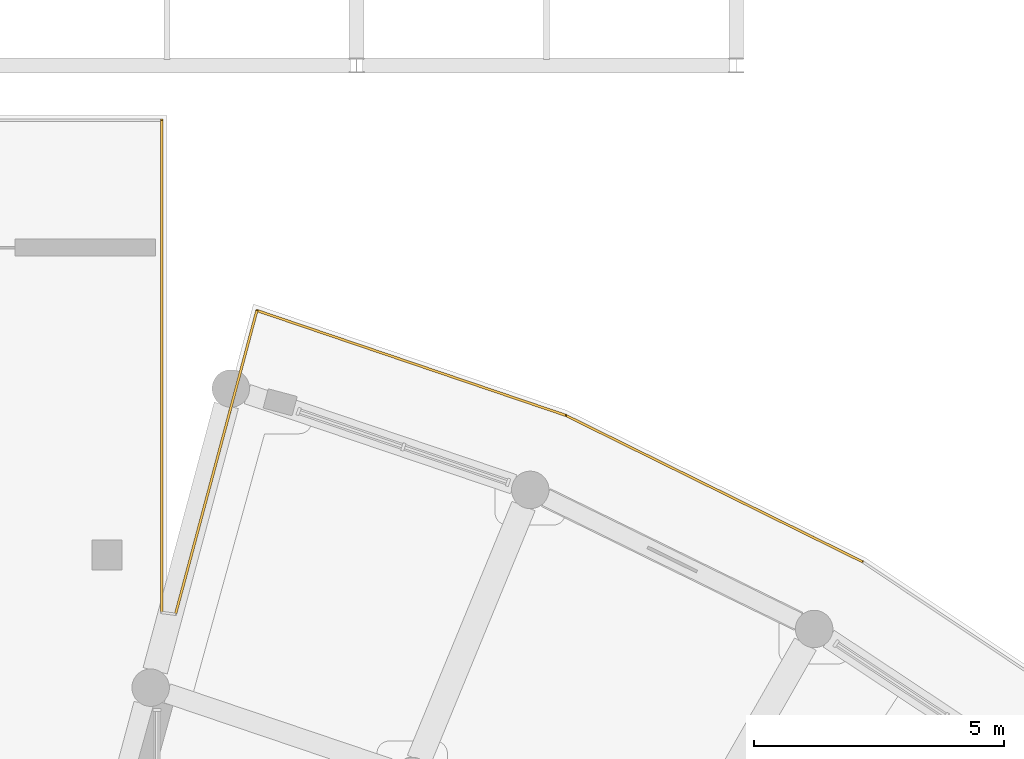
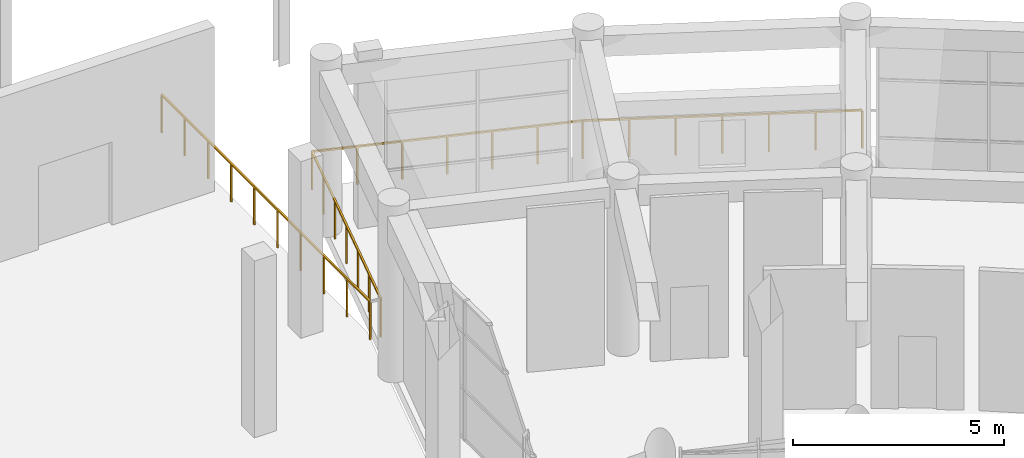
# One storey, part 98 of 99: 4 railings.
"""IFC4 building model written with IfcOpenShell, lengths in metres."""

from ifc_helpers import new_model, si_unit, direction, frame, origin, origin_2d, place, context, subcontext, project, spatial, rectangle, extrude, material, layer, layer_set, type_object, element, save


model = new_model("IFC4")

# Units and contexts
model_context = context("Model", 3, precision=1e-05, world=origin(), true_north=direction((0.0, 1.0)))
body_context = subcontext(model_context, "Body", "Model", "MODEL_VIEW")
ifc_project = project(units=[si_unit("LENGTHUNIT", "METRE"), si_unit("AREAUNIT", "SQUARE_METRE"), si_unit("VOLUMEUNIT", "CUBIC_METRE"), si_unit("PLANEANGLEUNIT", "RADIAN"), si_unit("MASSUNIT", "GRAM", prefix="KILO")], contexts=[model_context])

# Site, building, storey
site_placement = place(None, origin())
site = spatial("IfcSite", under=ifc_project, at=site_placement, CompositionType="ELEMENT")
building_placement = place(site_placement, origin())
building = spatial("IfcBuilding", under=site, at=building_placement, Name="Saryqyr Civic Hall", CompositionType="ELEMENT")
storey_placement = place(building_placement, origin())
storey = spatial("IfcBuildingStorey", under=building, at=storey_placement, Name="L00", CompositionType="ELEMENT", Elevation=0.0)

# Railings
ifc_material = material(Name="Warm brushed brass and laminated glass", Category="glass")
ifc_layer = layer(ifc_material, 0.06005859375, Name="Warm brushed brass and laminated glass")
ifc_layer_set = layer_set([ifc_layer], Name="Warm brushed brass and laminated glass")
railing_type = type_object("IfcRailingType", Name="INT-RLG-BAL-1100", PredefinedType="BALUSTRADE", material=ifc_layer_set)
railing_1_placement = place(storey_placement, frame((68.300048828125, 136.699951171875, 0.0)))
element("IfcRailing", 1, at=railing_1_placement, inside=storey, type_object=railing_type, Name="Interior deck safety balustrade L00-012", PredefinedType="BALUSTRADE", context=body_context, shape_type="SweptSolid", body=[
    extrude(rectangle(XDim=0.048095703125, YDim=0.048095703125, at=origin_2d()), frame((0.0, 0.0, 1.09619140625), z_axis=(0.0, -1.0, 0.0), x_axis=(1.0, 0.0, 0.0)), (0.0, 0.0, 1.0), 9.853271484375),
    extrude(rectangle(XDim=0.0419921875, YDim=0.0419921875, at=origin_2d()), origin(), (0.0, 0.0, 1.0), 1.072021484375),
    extrude(rectangle(XDim=0.0419921875, YDim=0.0419921875, at=origin_2d()), frame((0.0, -1.0947265625, 0.0)), (0.0, 0.0, 1.0), 1.072021484375),
    extrude(rectangle(XDim=0.0419921875, YDim=0.0419921875, at=origin_2d()), frame((0.0, -2.189697265625, 0.0)), (0.0, 0.0, 1.0), 1.072021484375),
    extrude(rectangle(XDim=0.0419921875, YDim=0.0419921875, at=origin_2d()), frame((0.0, -3.284423828125, 0.0)), (0.0, 0.0, 1.0), 1.072021484375),
    extrude(rectangle(XDim=0.0419921875, YDim=0.0419921875, at=origin_2d()), frame((0.0, -4.379150390625, 0.0)), (0.0, 0.0, 1.0), 1.072021484375),
    extrude(rectangle(XDim=0.0419921875, YDim=0.0419921875, at=origin_2d()), frame((0.0, -5.47412109375, 0.0)), (0.0, 0.0, 1.0), 1.072021484375),
    extrude(rectangle(XDim=0.0419921875, YDim=0.0419921875, at=origin_2d()), frame((0.0, -6.56884765625, 0.0)), (0.0, 0.0, 1.0), 1.072021484375),
    extrude(rectangle(XDim=0.0419921875, YDim=0.0419921875, at=origin_2d()), frame((0.0, -7.66357421875, 0.0)), (0.0, 0.0, 1.0), 1.072021484375),
    extrude(rectangle(XDim=0.0419921875, YDim=0.0419921875, at=origin_2d()), frame((0.0, -8.758544921875, 0.0)), (0.0, 0.0, 1.0), 1.072021484375),
    extrude(rectangle(XDim=0.0419921875, YDim=0.0419921875, at=origin_2d()), frame((0.0, -9.853271484375, 0.0)), (0.0, 0.0, 1.0), 1.072021484375),
])
railing_2_placement = place(storey_placement, frame((68.57470703125, 126.810546875, 0.0)))
element("IfcRailing", 2, at=railing_2_placement, inside=storey, type_object=railing_type, Name="Interior deck safety balustrade L00-014", PredefinedType="BALUSTRADE", context=body_context, shape_type="SweptSolid", body=[
    extrude(rectangle(XDim=0.048095703125, YDim=0.048095703125, at=origin_2d()), frame((0.0, 0.0, 1.09619140625), z_axis=(0.258816205353, 0.965926587193, 0.0), x_axis=(-0.965926587193, 0.258816205353, 0.0)), (0.0, 0.0, 1.0), 6.295654296875),
    extrude(rectangle(XDim=0.0419921875, YDim=0.0419921875, at=origin_2d()), origin(), (0.0, 0.0, 1.0), 1.072021484375),
    extrude(rectangle(XDim=0.0419921875, YDim=0.0419921875, at=origin_2d()), frame((0.271484375, 1.013427734375, 0.0)), (0.0, 0.0, 1.0), 1.072021484375),
    extrude(rectangle(XDim=0.0419921875, YDim=0.0419921875, at=origin_2d()), frame((0.543212890625, 2.027099609375, 0.0)), (0.0, 0.0, 1.0), 1.072021484375),
    extrude(rectangle(XDim=0.0419921875, YDim=0.0419921875, at=origin_2d()), frame((0.814697265625, 3.04052734375, 0.0)), (0.0, 0.0, 1.0), 1.072021484375),
    extrude(rectangle(XDim=0.0419921875, YDim=0.0419921875, at=origin_2d()), frame((1.086181640625, 4.053955078125, 0.0)), (0.0, 0.0, 1.0), 1.072021484375),
    extrude(rectangle(XDim=0.0419921875, YDim=0.0419921875, at=origin_2d()), frame((1.35791015625, 5.067626953125, 0.0)), (0.0, 0.0, 1.0), 1.072021484375),
    extrude(rectangle(XDim=0.0419921875, YDim=0.0419921875, at=origin_2d()), frame((1.62939453125, 6.0810546875, 0.0)), (0.0, 0.0, 1.0), 1.072021484375),
])
railing_3_placement = place(storey_placement, frame((70.2041015625, 132.8916015625, 0.0)))
element("IfcRailing", 3, at=railing_3_placement, inside=storey, type_object=railing_type, Name="Interior deck safety balustrade L00-015", PredefinedType="BALUSTRADE", context=body_context, shape_type="SweptSolid", body=[
    extrude(rectangle(XDim=0.048095703125, YDim=0.048095703125, at=origin_2d()), frame((0.0, 0.0, 1.09619140625), z_axis=(0.946929086089, -0.321442539062, 0.0), x_axis=(0.321442539062, 0.946929086089, 0.0)), (0.0, 0.0, 1.0), 6.52490234375),
    extrude(rectangle(XDim=0.0419921875, YDim=0.0419921875, at=origin_2d()), origin(), (0.0, 0.0, 1.0), 1.072021484375),
    extrude(rectangle(XDim=0.0419921875, YDim=0.0419921875, at=origin_2d()), frame((1.02978515625, -0.349609375, 0.0)), (0.0, 0.0, 1.0), 1.072021484375),
    extrude(rectangle(XDim=0.0419921875, YDim=0.0419921875, at=origin_2d()), frame((2.0595703125, -0.69921875, 0.0)), (0.0, 0.0, 1.0), 1.072021484375),
    extrude(rectangle(XDim=0.0419921875, YDim=0.0419921875, at=origin_2d()), frame((3.08935546875, -1.048828125, 0.0)), (0.0, 0.0, 1.0), 1.072021484375),
    extrude(rectangle(XDim=0.0419921875, YDim=0.0419921875, at=origin_2d()), frame((4.119140625, -1.398193359375, 0.0)), (0.0, 0.0, 1.0), 1.072021484375),
    extrude(rectangle(XDim=0.0419921875, YDim=0.0419921875, at=origin_2d()), frame((5.14892578125, -1.747802734375, 0.0)), (0.0, 0.0, 1.0), 1.072021484375),
    extrude(rectangle(XDim=0.0419921875, YDim=0.0419921875, at=origin_2d()), frame((6.1787109375, -2.097412109375, 0.0)), (0.0, 0.0, 1.0), 1.072021484375),
])
railing_4_placement = place(storey_placement, frame((76.3828125, 130.794189453125, 0.0)))
element("IfcRailing", 4, at=railing_4_placement, inside=storey, type_object=railing_type, Name="Interior deck safety balustrade L00-016", PredefinedType="BALUSTRADE", context=body_context, shape_type="SweptSolid", body=[
    extrude(rectangle(XDim=0.048095703125, YDim=0.048095703125, at=origin_2d()), frame((0.0, 0.0, 1.09619140625), z_axis=(0.896882484151, -0.442268933595, 0.0), x_axis=(0.442268933595, 0.896882484151, 0.0)), (0.0, 0.0, 1.0), 6.625244140625),
    extrude(rectangle(XDim=0.0419921875, YDim=0.0419921875, at=origin_2d()), origin(), (0.0, 0.0, 1.0), 1.072021484375),
    extrude(rectangle(XDim=0.0419921875, YDim=0.0419921875, at=origin_2d()), frame((0.990234375, -0.48828125, 0.0)), (0.0, 0.0, 1.0), 1.072021484375),
    extrude(rectangle(XDim=0.0419921875, YDim=0.0419921875, at=origin_2d()), frame((1.980712890625, -0.976806640625, 0.0)), (0.0, 0.0, 1.0), 1.072021484375),
    extrude(rectangle(XDim=0.0419921875, YDim=0.0419921875, at=origin_2d()), frame((2.97119140625, -1.465087890625, 0.0)), (0.0, 0.0, 1.0), 1.072021484375),
    extrude(rectangle(XDim=0.0419921875, YDim=0.0419921875, at=origin_2d()), frame((3.96142578125, -1.953369140625, 0.0)), (0.0, 0.0, 1.0), 1.072021484375),
    extrude(rectangle(XDim=0.0419921875, YDim=0.0419921875, at=origin_2d()), frame((4.95166015625, -2.44189453125, 0.0)), (0.0, 0.0, 1.0), 1.072021484375),
    extrude(rectangle(XDim=0.0419921875, YDim=0.0419921875, at=origin_2d()), frame((5.942138671875, -2.93017578125, 0.0)), (0.0, 0.0, 1.0), 1.072021484375),
])

save(model, "model.ifc")
